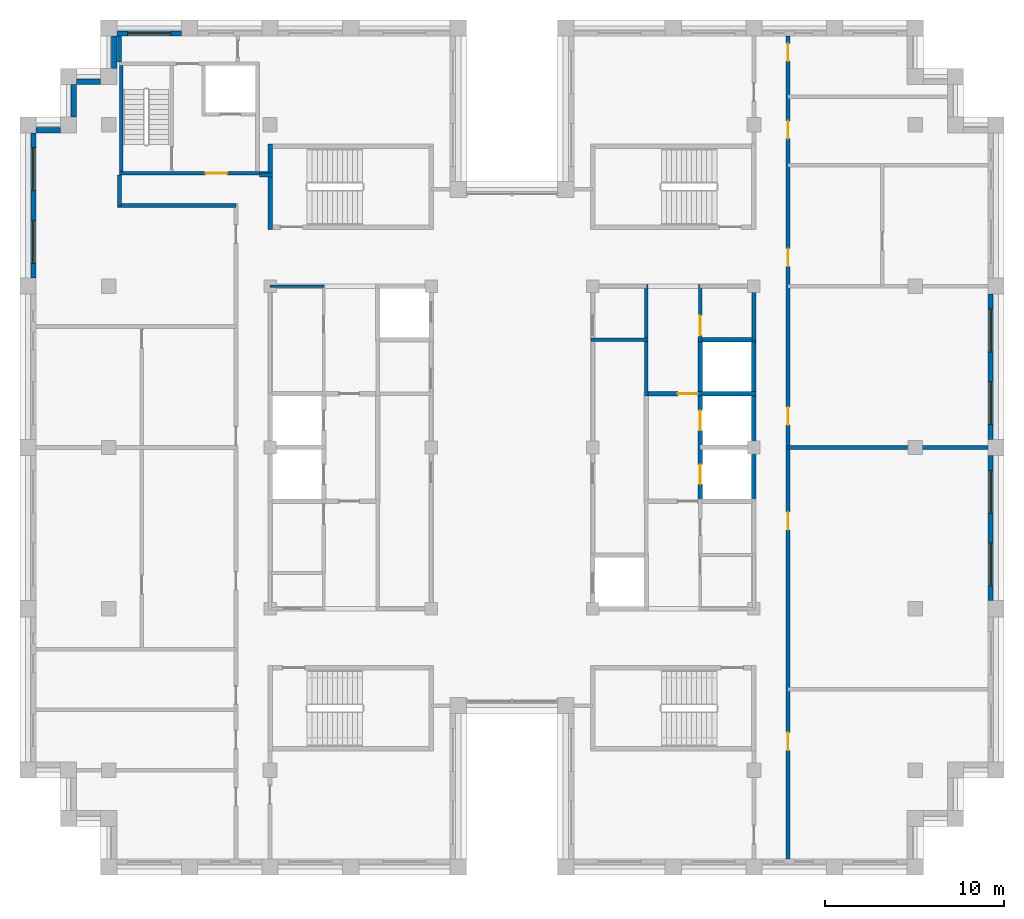
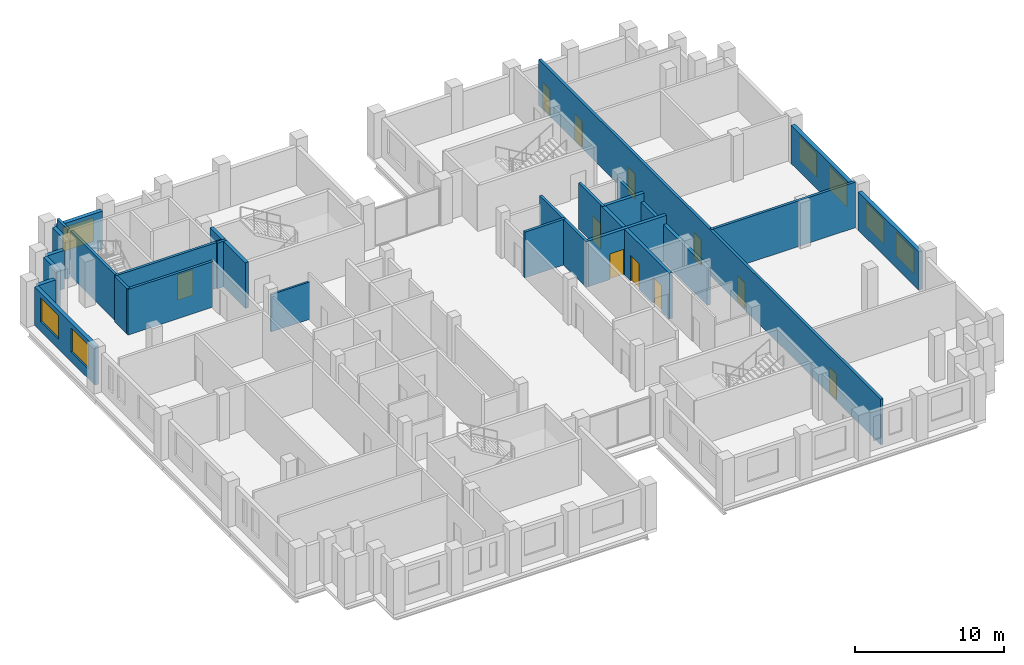
# One storey, part 9 of 13: 26 walls, 11 doors, 7 windows, 18 openings.
"""IFC4 building model written with IfcOpenShell, lengths in metres."""

import ifcopenshell
import ifcopenshell.guid

model = None  # the IFC model being written
_history = None  # IfcOwnerHistory: only IFC2X3 demands one
_inside = {}  # id of a spatial element -> (the spatial element, [elements in it])
_under = {}  # id of a project, library or spatial element -> (it, [spatial elements below it])
_declared = {}  # id of a project -> (the project, [libraries it declares])
_typed = {}  # id of a type object -> (the type object, [elements of that type])
_made_of = {}  # id of a material, layer set ... -> (it, [elements and type objects made of it])


def new_model(schema):
    """Start an empty IFC model of exactly this schema.

    Asked for "IFC4X3", IfcOpenShell would pick the latest addendum, in which some entities
    have other attributes; the version numbers below select the first issue.
    IFC2X3 requires an IfcOwnerHistory on every rooted entity: one is made here for all.
    """
    global model, _history
    if schema == "IFC4X3":
        model = ifcopenshell.file(schema_version=(4, 3, 0, 0))
    else:
        model = ifcopenshell.file(schema=schema)
    _inside.clear()
    _under.clear()
    _declared.clear()
    _typed.clear()
    _made_of.clear()
    _history = None
    if model.schema == "IFC2X3":
        org = make("IfcOrganization", Name="unknown")
        user = make(
            "IfcPersonAndOrganization",
            ThePerson=make("IfcPerson", FamilyName="unknown"),
            TheOrganization=org,
        )
        app = make(
            "IfcApplication",
            ApplicationDeveloper=org,
            Version="unknown",
            ApplicationFullName="unknown",
            ApplicationIdentifier="unknown",
        )
        _history = make(
            "IfcOwnerHistory",
            OwningUser=user,
            OwningApplication=app,
            ChangeAction="ADDED",
            CreationDate=0,
        )
    return model


def make(cls, **values):
    """One entity of the class cls with the attributes given. An attribute that is None is left unset."""
    return model.create_entity(
        cls, **{name: value for name, value in values.items() if value is not None}
    )


def rooted(cls, **values):
    """An entity with a GlobalId (a new one), such as an element, a storey or a relation."""
    return make(cls, GlobalId=ifcopenshell.guid.new(), OwnerHistory=_history, **values)


def si_unit(unit_type, name, prefix=None):
    """IfcSIUnit, for example si_unit("LENGTHUNIT", "METRE", prefix="MILLI")."""
    return make("IfcSIUnit", UnitType=unit_type, Prefix=prefix, Name=name)


def assignment(units):
    """IfcUnitAssignment: the units of a project."""
    return None if units is None else make("IfcUnitAssignment", Units=units)


def point(xyz):
    """IfcCartesianPoint."""
    return None if xyz is None else make("IfcCartesianPoint", Coordinates=xyz)


def direction(xyz):
    """IfcDirection."""
    return None if xyz is None else make("IfcDirection", DirectionRatios=xyz)


def frame(location, z_axis=None, x_axis=None):
    """IfcAxis2Placement3D, a coordinate frame: its origin and axes. An axis left out is left unset."""
    return make(
        "IfcAxis2Placement3D",
        Location=point(location),
        Axis=direction(z_axis),
        RefDirection=direction(x_axis),
    )


def frame_2d(location, x_axis=None):
    """IfcAxis2Placement2D, a coordinate frame in the plane: its origin and x axis."""
    return make(
        "IfcAxis2Placement2D", Location=point(location), RefDirection=direction(x_axis)
    )


def origin():
    """The frame at (0, 0, 0) with its axes left unset."""
    return frame((0.0, 0.0, 0.0))


def place(relative_to, where):
    """IfcLocalPlacement: puts the frame where relative to a parent placement (None: the world)."""
    return make(
        "IfcLocalPlacement", PlacementRelTo=relative_to, RelativePlacement=where
    )


def context(
    kind, dimensions, precision=None, world=None, true_north=None, identifier=None
):
    """IfcGeometricRepresentationContext, for example the 3D "Model" context."""
    return make(
        "IfcGeometricRepresentationContext",
        ContextIdentifier=identifier,
        ContextType=kind,
        CoordinateSpaceDimension=dimensions,
        Precision=precision,
        WorldCoordinateSystem=world,
        TrueNorth=true_north,
    )


def subcontext(parent, identifier, kind, view, scale=None):
    """IfcGeometricRepresentationSubContext, for example "Body" below "Model"."""
    return make(
        "IfcGeometricRepresentationSubContext",
        ContextIdentifier=identifier,
        ContextType=kind,
        ParentContext=parent,
        TargetScale=scale,
        TargetView=view,
    )


def project(units=None, contexts=None):
    """IfcProject with its units and contexts."""
    return rooted(
        "IfcProject",
        Name="project",
        RepresentationContexts=contexts,
        UnitsInContext=assignment(units),
    )


def spatial(cls, under=None, at=None, **own):
    """A site, building, storey or space (cls), placed at a placement, below another one or the project."""
    s = rooted(cls, ObjectPlacement=at, **own)
    if under is not None:
        _under.setdefault(under.id(), (under, []))[1].append(s)
    return s


def profile(cls, at=None, kind="AREA", **sizes):
    """A parametric profile (cls). Its sizes go by their IFC names, for example OverallWidth=200.0."""
    return make(cls, ProfileType=kind, Position=at, **sizes)


def rectangle(**sizes):
    """IfcRectangleProfileDef."""
    return profile("IfcRectangleProfileDef", **sizes)


def extrude(swept, where, along, depth):
    """IfcExtrudedAreaSolid: the profile swept, set in the frame where, extruded along a direction by depth."""
    return make(
        "IfcExtrudedAreaSolid",
        SweptArea=swept,
        Position=where,
        ExtrudedDirection=direction(along),
        Depth=depth,
    )


def shape(context_of_items, identifier, shape_type, items):
    """IfcShapeRepresentation: the items that make up one representation, for example the "Body"."""
    return make(
        "IfcShapeRepresentation",
        ContextOfItems=context_of_items,
        RepresentationIdentifier=identifier,
        RepresentationType=shape_type,
        Items=items,
    )


def material(Name=None, Category=None):
    """IfcMaterial."""
    return make("IfcMaterial", Name=Name, Category=Category)


def layer(
    of_material, thickness, ventilated=None, Name=None, Category=None, Priority=None
):
    """IfcMaterialLayer: one layer of a wall or slab, of a material (None: an air gap)."""
    return make(
        "IfcMaterialLayer",
        Material=of_material,
        LayerThickness=thickness,
        IsVentilated=ventilated,
        Name=Name,
        Category=Category,
        Priority=Priority,
    )


def layer_set(layers, Name=None):
    """IfcMaterialLayerSet."""
    return make("IfcMaterialLayerSet", MaterialLayers=layers, LayerSetName=Name)


def made_of(thing, what):
    """Note that an element or type object is made of a material, layer set ...; save() writes the relation."""
    if what is not None:
        _made_of.setdefault(what.id(), (what, []))[1].append(thing)
    return thing


def type_object(cls, material=None, **own):
    """A type object (cls), such as IfcWallType, which elements share."""
    return made_of(rooted(cls, **own), material)


def element(
    cls,
    number,
    at=None,
    inside=None,
    cuts=None,
    type_object=None,
    material=None,
    context=None,
    identifier="Body",
    shape_type=None,
    held_by="IfcProductDefinitionShape",
    body=None,
    shapes=None,
    **own,
):
    """One element of the class cls, such as IfcWall. Its Tag is "e" and its number.

    at: its placement. inside: the storey or other place that contains it. cuts: it is an
    opening in that element (IfcRelVoidsElement). A single representation is given by context,
    identifier, shape_type and body (its items); several are given by shapes. held_by: the class
    of the entity that holds the representations. save() writes the other relations.
    """
    e = rooted(cls, Tag="e%d" % number, ObjectPlacement=at, **own)
    if body is not None:
        shapes = [shape(context, identifier, shape_type, body)]
    if shapes is not None:
        e.Representation = make(held_by, Representations=shapes)
    if inside is not None:
        _inside.setdefault(inside.id(), (inside, []))[1].append(e)
    if cuts is not None:
        rooted(
            "IfcRelVoidsElement", RelatingBuildingElement=cuts, RelatedOpeningElement=e
        )
    if type_object is not None:
        _typed.setdefault(type_object.id(), (type_object, []))[1].append(e)
    return made_of(e, material)


def fill(opening, filler):
    """IfcRelFillsElement: the door or window that sits in an opening."""
    return rooted(
        "IfcRelFillsElement",
        RelatingOpeningElement=opening,
        RelatedBuildingElement=filler,
    )


def aggregate(whole, parts):
    """IfcRelAggregates: a whole, such as a stair, and the parts it consists of."""
    return rooted("IfcRelAggregates", RelatingObject=whole, RelatedObjects=parts)


def save(model, path):
    """Write the relations noted so far, then the file.

    IfcRelAggregates (storeys below a building ...), IfcRelContainedInSpatialStructure (elements
    in a storey), IfcRelDefinesByType, IfcRelAssociatesMaterial and IfcRelDeclares: one each for
    every whole, place, type object, material and project.
    """
    for whole, parts in _under.values():
        aggregate(whole, parts)
    for where, things in _inside.values():
        rooted(
            "IfcRelContainedInSpatialStructure",
            RelatedElements=things,
            RelatingStructure=where,
        )
    for kind, things in _typed.values():
        rooted("IfcRelDefinesByType", RelatedObjects=things, RelatingType=kind)
    for what, things in _made_of.values():
        rooted("IfcRelAssociatesMaterial", RelatedObjects=things, RelatingMaterial=what)
    for by, libraries in _declared.values():
        rooted("IfcRelDeclares", RelatingContext=by, RelatedDefinitions=libraries)
    model.write(path)


model = new_model("IFC4")

# Units and contexts
model_context = context("Model", 3, precision=1e-05, world=origin(), true_north=direction((0.0, 1.0)))
body_context = subcontext(model_context, "Body", "Model", "MODEL_VIEW")
ifc_project = project(units=[si_unit("LENGTHUNIT", "METRE"), si_unit("AREAUNIT", "SQUARE_METRE"), si_unit("VOLUMEUNIT", "CUBIC_METRE"), si_unit("PLANEANGLEUNIT", "RADIAN"), si_unit("MASSUNIT", "GRAM", prefix="KILO")], contexts=[model_context])

# Site, building, storey
site_placement = place(None, origin())
site = spatial("IfcSite", under=ifc_project, at=site_placement, CompositionType="ELEMENT")
building_placement = place(site_placement, origin())
building = spatial("IfcBuilding", under=site, at=building_placement, Name="Corbelhall Arena Tower", CompositionType="ELEMENT")
storey_placement = place(building_placement, frame((0.0, 0.0, 308.0)))
storey = spatial("IfcBuildingStorey", under=building, at=storey_placement, Name="L67", CompositionType="ELEMENT", Elevation=308.0)

# Walls
ifc_material_1 = material(Name="Precast concrete C40/50 with granite facing", Category="masonry")
ifc_layer_1 = layer(ifc_material_1, 0.300048828125)
ifc_layer_set_1 = layer_set([ifc_layer_1], Name="EV-IW1 Infill panel 300")
wall_type_1 = type_object("IfcWallType", Name="EV-IW1 Infill panel 300", PredefinedType="SOLIDWALL", material=ifc_layer_set_1)
wall_1_placement = place(storey_placement, frame((-24.449951171875, 20.25, 0.0), z_axis=(0.0, 0.0, 1.0), x_axis=(0.0, -1.0, 0.0)))
element("IfcWall", 1, at=wall_1_placement, inside=storey, type_object=wall_type_1, Name="Infill panel IW1", PredefinedType="SOLIDWALL", context=body_context, shape_type="SweptSolid", body=[
    extrude(rectangle(XDim=1.800048828125, YDim=0.300048828125, at=frame_2d((0.89990234375, 0.0))), origin(), (0.0, 0.0, 1.0), 3.139892578125),
])
wall_2_placement = place(storey_placement, frame((-25.199951171875, 17.699951171875, 0.0), z_axis=(0.0, 0.0, 1.0), x_axis=(-1.0, 0.0, 0.0)))
element("IfcWall", 2, at=wall_2_placement, inside=storey, type_object=wall_type_1, Name="Infill panel IW1", PredefinedType="SOLIDWALL", context=body_context, shape_type="SweptSolid", body=[
    extrude(rectangle(XDim=1.35009765625, YDim=0.300048828125, at=frame_2d((0.675048828125, 0.0))), origin(), (0.0, 0.0, 1.0), 3.139892578125),
])

# Wall, openings, windows
wall_3_placement = place(storey_placement, frame((-26.699951171875, 17.550048828125, 0.0), z_axis=(0.0, 0.0, 1.0), x_axis=(0.0, -1.0, 0.0)))
wall_3 = element("IfcWall", 3, at=wall_3_placement, inside=storey, type_object=wall_type_1, Name="Infill panel IW1", PredefinedType="SOLIDWALL", context=body_context, shape_type="SweptSolid", body=[
    extrude(rectangle(XDim=8.10009765625, YDim=0.300048828125, at=frame_2d((4.050048828125, 0.0))), origin(), (0.0, 0.0, 1.0), 3.139892578125),
])
opening_1_placement = place(wall_3_placement, frame((0.824951171875, 0.0, 0.800048828125)))
opening_1 = element("IfcOpeningElement", 4, at=opening_1_placement, cuts=wall_3, Name="Opening WN1", PredefinedType="OPENING", context=body_context, shape_type="SweptSolid", body=[
    extrude(rectangle(XDim=2.39990234375, YDim=1.949951171875, at=frame_2d((1.199951171875, 0.97509765625))), frame((0.0, 0.14990234375, 0.0), z_axis=(0.0, -1.0, 0.0), x_axis=(1.0, 0.0, 0.0)), (0.0, 0.0, 1.0), 0.300048828125),
])
opening_2_placement = place(wall_3_placement, frame((4.875, 0.0, 0.800048828125)))
opening_2 = element("IfcOpeningElement", 5, at=opening_2_placement, cuts=wall_3, Name="Opening WN1", PredefinedType="OPENING", context=body_context, shape_type="SweptSolid", body=[
    extrude(rectangle(XDim=2.39990234375, YDim=1.949951171875, at=frame_2d((1.199951171875, 0.97509765625))), frame((0.0, 0.14990234375, 0.0), z_axis=(0.0, -1.0, 0.0), x_axis=(1.0, 0.0, 0.0)), (0.0, 0.0, 1.0), 0.300048828125),
])
ifc_material_2 = material(Name="Aluminium black anodised", Category="aluminium")
window_type = type_object("IfcWindowType", Name="EV-WN1 Office window", PartitioningType="SINGLE_PANEL", PredefinedType="WINDOW", material=ifc_material_2)
window_1_placement = place(opening_1_placement, origin())
window_1 = element("IfcWindow", 6, at=window_1_placement, inside=storey, type_object=window_type, Name="Window WN1", OverallHeight=1.949951171875, OverallWidth=2.39990234375, PartitioningType="SINGLE_PANEL", PredefinedType="WINDOW", context=body_context, shape_type="SweptSolid", body=[
    extrude(rectangle(XDim=2.39990234375, YDim=1.949951171875, at=frame_2d((1.199951171875, 0.97509765625))), frame((0.0, 0.030029296875, 0.0), z_axis=(0.0, -1.0, 0.0), x_axis=(1.0, 0.0, 0.0)), (0.0, 0.0, 1.0), 0.06005859375),
])
fill(opening_1, window_1)
window_2_placement = place(opening_2_placement, origin())
window_2 = element("IfcWindow", 7, at=window_2_placement, inside=storey, type_object=window_type, Name="Window WN1", OverallHeight=1.949951171875, OverallWidth=2.39990234375, PartitioningType="SINGLE_PANEL", PredefinedType="WINDOW", context=body_context, shape_type="SweptSolid", body=[
    extrude(rectangle(XDim=2.39990234375, YDim=1.949951171875, at=frame_2d((1.199951171875, 0.97509765625))), frame((0.0, 0.030029296875, 0.0), z_axis=(0.0, -1.0, 0.0), x_axis=(1.0, 0.0, 0.0)), (0.0, 0.0, 1.0), 0.06005859375),
])
fill(opening_2, window_2)

wall_4_placement = place(storey_placement, frame((26.699951171875, -8.550048828125, 0.0), z_axis=(0.0, 0.0, 1.0), x_axis=(0.0, 1.0, 0.0)))
wall_4 = element("IfcWall", 8, at=wall_4_placement, inside=storey, type_object=wall_type_1, Name="Infill panel IW1", PredefinedType="SOLIDWALL", context=body_context, shape_type="SweptSolid", body=[
    extrude(rectangle(XDim=8.10009765625, YDim=0.300048828125, at=frame_2d((4.050048828125, 0.0))), origin(), (0.0, 0.0, 1.0), 3.139892578125),
])
opening_3_placement = place(wall_4_placement, frame((0.824951171875, 0.0, 0.800048828125)))
opening_3 = element("IfcOpeningElement", 9, at=opening_3_placement, cuts=wall_4, Name="Opening WN1", PredefinedType="OPENING", context=body_context, shape_type="SweptSolid", body=[
    extrude(rectangle(XDim=2.39990234375, YDim=1.949951171875, at=frame_2d((1.199951171875, 0.97509765625))), frame((0.0, 0.14990234375, 0.0), z_axis=(0.0, -1.0, 0.0), x_axis=(1.0, 0.0, 0.0)), (0.0, 0.0, 1.0), 0.300048828125),
])
opening_4_placement = place(wall_4_placement, frame((4.875, 0.0, 0.800048828125)))
opening_4 = element("IfcOpeningElement", 10, at=opening_4_placement, cuts=wall_4, Name="Opening WN1", PredefinedType="OPENING", context=body_context, shape_type="SweptSolid", body=[
    extrude(rectangle(XDim=2.39990234375, YDim=1.949951171875, at=frame_2d((1.199951171875, 0.97509765625))), frame((0.0, 0.14990234375, 0.0), z_axis=(0.0, -1.0, 0.0), x_axis=(1.0, 0.0, 0.0)), (0.0, 0.0, 1.0), 0.300048828125),
])
window_3_placement = place(opening_3_placement, origin())
window_3 = element("IfcWindow", 11, at=window_3_placement, inside=storey, type_object=window_type, Name="Window WN1", OverallHeight=1.949951171875, OverallWidth=2.39990234375, PartitioningType="SINGLE_PANEL", PredefinedType="WINDOW", context=body_context, shape_type="SweptSolid", body=[
    extrude(rectangle(XDim=2.39990234375, YDim=1.949951171875, at=frame_2d((1.199951171875, 0.97509765625))), frame((0.0, 0.030029296875, 0.0), z_axis=(0.0, -1.0, 0.0), x_axis=(1.0, 0.0, 0.0)), (0.0, 0.0, 1.0), 0.06005859375),
])
fill(opening_3, window_3)
window_4_placement = place(opening_4_placement, origin())
window_4 = element("IfcWindow", 12, at=window_4_placement, inside=storey, type_object=window_type, Name="Window WN1", OverallHeight=1.949951171875, OverallWidth=2.39990234375, PartitioningType="SINGLE_PANEL", PredefinedType="WINDOW", context=body_context, shape_type="SweptSolid", body=[
    extrude(rectangle(XDim=2.39990234375, YDim=1.949951171875, at=frame_2d((1.199951171875, 0.97509765625))), frame((0.0, 0.030029296875, 0.0), z_axis=(0.0, -1.0, 0.0), x_axis=(1.0, 0.0, 0.0)), (0.0, 0.0, 1.0), 0.06005859375),
])
fill(opening_4, window_4)

wall_5_placement = place(storey_placement, frame((26.699951171875, 0.449951171875, 0.0), z_axis=(0.0, 0.0, 1.0), x_axis=(0.0, 1.0, 0.0)))
wall_5 = element("IfcWall", 13, at=wall_5_placement, inside=storey, type_object=wall_type_1, Name="Infill panel IW1", PredefinedType="SOLIDWALL", context=body_context, shape_type="SweptSolid", body=[
    extrude(rectangle(XDim=8.10009765625, YDim=0.300048828125, at=frame_2d((4.050048828125, 0.0))), origin(), (0.0, 0.0, 1.0), 3.139892578125),
])
opening_5_placement = place(wall_5_placement, frame((0.824951171875, 0.0, 0.800048828125)))
opening_5 = element("IfcOpeningElement", 14, at=opening_5_placement, cuts=wall_5, Name="Opening WN1", PredefinedType="OPENING", context=body_context, shape_type="SweptSolid", body=[
    extrude(rectangle(XDim=2.39990234375, YDim=1.949951171875, at=frame_2d((1.199951171875, 0.97509765625))), frame((0.0, 0.14990234375, 0.0), z_axis=(0.0, -1.0, 0.0), x_axis=(1.0, 0.0, 0.0)), (0.0, 0.0, 1.0), 0.300048828125),
])
opening_6_placement = place(wall_5_placement, frame((4.875, 0.0, 0.800048828125)))
opening_6 = element("IfcOpeningElement", 15, at=opening_6_placement, cuts=wall_5, Name="Opening WN1", PredefinedType="OPENING", context=body_context, shape_type="SweptSolid", body=[
    extrude(rectangle(XDim=2.39990234375, YDim=1.949951171875, at=frame_2d((1.199951171875, 0.97509765625))), frame((0.0, 0.14990234375, 0.0), z_axis=(0.0, -1.0, 0.0), x_axis=(1.0, 0.0, 0.0)), (0.0, 0.0, 1.0), 0.300048828125),
])
window_5_placement = place(opening_5_placement, origin())
window_5 = element("IfcWindow", 16, at=window_5_placement, inside=storey, type_object=window_type, Name="Window WN1", OverallHeight=1.949951171875, OverallWidth=2.39990234375, PartitioningType="SINGLE_PANEL", PredefinedType="WINDOW", context=body_context, shape_type="SweptSolid", body=[
    extrude(rectangle(XDim=2.39990234375, YDim=1.949951171875, at=frame_2d((1.199951171875, 0.97509765625))), frame((0.0, 0.030029296875, 0.0), z_axis=(0.0, -1.0, 0.0), x_axis=(1.0, 0.0, 0.0)), (0.0, 0.0, 1.0), 0.06005859375),
])
fill(opening_5, window_5)
window_6_placement = place(opening_6_placement, origin())
window_6 = element("IfcWindow", 17, at=window_6_placement, inside=storey, type_object=window_type, Name="Window WN1", OverallHeight=1.949951171875, OverallWidth=2.39990234375, PartitioningType="SINGLE_PANEL", PredefinedType="WINDOW", context=body_context, shape_type="SweptSolid", body=[
    extrude(rectangle(XDim=2.39990234375, YDim=1.949951171875, at=frame_2d((1.199951171875, 0.97509765625))), frame((0.0, 0.030029296875, 0.0), z_axis=(0.0, -1.0, 0.0), x_axis=(1.0, 0.0, 0.0)), (0.0, 0.0, 1.0), 0.06005859375),
])
fill(opening_6, window_6)

# Wall, opening, window
wall_6_placement = place(storey_placement, frame((-18.449951171875, 23.10009765625, 0.0), z_axis=(0.0, 0.0, 1.0), x_axis=(-1.0, 0.0, 0.0)))
wall_6 = element("IfcWall", 18, at=wall_6_placement, inside=storey, type_object=wall_type_1, Name="Infill panel IW1", PredefinedType="SOLIDWALL", context=body_context, shape_type="SweptSolid", body=[
    extrude(rectangle(XDim=3.60009765625, YDim=0.300048828125, at=frame_2d((1.800048828125, 0.0))), origin(), (0.0, 0.0, 1.0), 3.139892578125),
])
opening_7_placement = place(wall_6_placement, frame((0.60009765625, 0.0, 0.800048828125)))
opening_7 = element("IfcOpeningElement", 19, at=opening_7_placement, cuts=wall_6, Name="Opening WN1", PredefinedType="OPENING", context=body_context, shape_type="SweptSolid", body=[
    extrude(rectangle(XDim=2.39990234375, YDim=1.949951171875, at=frame_2d((1.199951171875, 0.97509765625))), frame((0.0, 0.14990234375, 0.0), z_axis=(0.0, -1.0, 0.0), x_axis=(1.0, 0.0, 0.0)), (0.0, 0.0, 1.0), 0.300048828125),
])
window_7_placement = place(opening_7_placement, origin())
window_7 = element("IfcWindow", 20, at=window_7_placement, inside=storey, type_object=window_type, Name="Window WN1", OverallHeight=1.949951171875, OverallWidth=2.39990234375, PartitioningType="SINGLE_PANEL", PredefinedType="WINDOW", context=body_context, shape_type="SweptSolid", body=[
    extrude(rectangle(XDim=2.39990234375, YDim=1.949951171875, at=frame_2d((1.199951171875, 0.97509765625))), frame((0.0, 0.030029296875, 0.0), z_axis=(0.0, -1.0, 0.0), x_axis=(1.0, 0.0, 0.0)), (0.0, 0.0, 1.0), 0.06005859375),
])
fill(opening_7, window_7)

# Walls
wall_7_placement = place(storey_placement, frame((-22.199951171875, 22.949951171875, 0.0), z_axis=(0.0, 0.0, 1.0), x_axis=(0.0, -1.0, 0.0)))
element("IfcWall", 21, at=wall_7_placement, inside=storey, type_object=wall_type_1, Name="Infill panel IW1", PredefinedType="SOLIDWALL", context=body_context, shape_type="SweptSolid", body=[
    extrude(rectangle(XDim=1.800048828125, YDim=0.300048828125, at=frame_2d((0.89990234375, 0.0))), origin(), (0.0, 0.0, 1.0), 3.139892578125),
])
wall_8_placement = place(storey_placement, frame((-22.949951171875, 20.39990234375, 0.0), z_axis=(0.0, 0.0, 1.0), x_axis=(-1.0, 0.0, 0.0)))
element("IfcWall", 22, at=wall_8_placement, inside=storey, type_object=wall_type_1, Name="Infill panel IW1", PredefinedType="SOLIDWALL", context=body_context, shape_type="SweptSolid", body=[
    extrude(rectangle(XDim=1.35009765625, YDim=0.300048828125, at=frame_2d((0.675048828125, 0.0))), origin(), (0.0, 0.0, 1.0), 3.139892578125),
])
ifc_material_3 = material(Name="Gypsum board on steel stud, acoustic", Category="steel")
ifc_layer_2 = layer(ifc_material_3, 0.199951171875)
ifc_layer_set_2 = layer_set([ifc_layer_2], Name="IN-W-DM200")
wall_type_2 = type_object("IfcWallType", Name="IN-W-DM200", PredefinedType="PARTITIONING", material=ifc_layer_set_2)
wall_9_placement = place(storey_placement, frame((-21.89990234375, 13.5, 0.0), z_axis=(0.0, 0.0, 1.0), x_axis=(0.0, 1.0, 0.0)))
element("IfcWall", 23, at=wall_9_placement, inside=storey, type_object=wall_type_2, Name="Partition 005", PredefinedType="PARTITIONING", context=body_context, shape_type="SweptSolid", body=[
    extrude(rectangle(XDim=1.699951171875, YDim=0.199951171875, at=frame_2d((0.85009765625, 0.0))), origin(), (0.0, 0.0, 1.0), 3.739990234375),
])
wall_10_placement = place(storey_placement, frame((-21.89990234375, 21.5, 0.0), z_axis=(0.0, 0.0, 1.0), x_axis=(0.0, 1.0, 0.0)))
element("IfcWall", 24, at=wall_10_placement, inside=storey, type_object=wall_type_2, Name="Partition 006", PredefinedType="PARTITIONING", context=body_context, shape_type="SweptSolid", body=[
    extrude(rectangle(XDim=1.449951171875, YDim=0.199951171875, at=frame_2d((0.72509765625, 0.0))), origin(), (0.0, 0.0, 1.0), 3.739990234375),
])
wall_11_placement = place(storey_placement, frame((-15.39990234375, 13.5, 0.0), z_axis=(0.0, 0.0, 1.0), x_axis=(-1.0, 0.0, 0.0)))
element("IfcWall", 25, at=wall_11_placement, inside=storey, type_object=wall_type_2, Name="Partition 010", PredefinedType="PARTITIONING", context=body_context, shape_type="SweptSolid", body=[
    extrude(rectangle(XDim=6.60009765625, YDim=0.199951171875, at=frame_2d((3.300048828125, 0.0))), origin(), (0.0, 0.0, 1.0), 3.739990234375),
])
wall_12_placement = place(storey_placement, frame((-14.10009765625, 15.199951171875, 0.0), z_axis=(0.0, 0.0, 1.0), x_axis=(1.0, 0.0, 0.0)))
element("IfcWall", 26, at=wall_12_placement, inside=storey, type_object=wall_type_2, Name="Partition 012", PredefinedType="PARTITIONING", context=body_context, shape_type="SweptSolid", body=[
    extrude(rectangle(XDim=0.72509765625, YDim=0.199951171875, at=frame_2d((0.362548828125, 0.0))), origin(), (0.0, 0.0, 1.0), 3.739990234375),
])

# Wall, openings, doors
wall_13_placement = place(storey_placement, frame((15.39990234375, 22.949951171875, 0.0), z_axis=(0.0, 0.0, 1.0), x_axis=(0.0, -1.0, 0.0)))
wall_13 = element("IfcWall", 27, at=wall_13_placement, inside=storey, type_object=wall_type_2, Name="Partition 021", PredefinedType="PARTITIONING", context=body_context, shape_type="SweptSolid", body=[
    extrude(rectangle(XDim=45.89990234375, YDim=0.199951171875, at=frame_2d((22.949951171875, 0.0))), origin(), (0.0, 0.0, 1.0), 3.739990234375),
])
opening_8_placement = place(wall_13_placement, frame((20.699951171875, 0.0, 0.0)))
opening_8 = element("IfcOpeningElement", 28, at=opening_8_placement, cuts=wall_13, Name="Opening 21029", PredefinedType="OPENING", context=body_context, shape_type="SweptSolid", body=[
    extrude(rectangle(XDim=1.0, YDim=2.10009765625, at=frame_2d((0.5, 1.050048828125))), frame((0.0, 0.10009765625, 0.0), z_axis=(0.0, -1.0, 0.0), x_axis=(1.0, 0.0, 0.0)), (0.0, 0.0, 1.0), 0.199951171875),
])
opening_9_placement = place(wall_13_placement, frame((11.85009765625, 0.0, 0.0)))
opening_9 = element("IfcOpeningElement", 29, at=opening_9_placement, cuts=wall_13, Name="Opening 21030", PredefinedType="OPENING", context=body_context, shape_type="SweptSolid", body=[
    extrude(rectangle(XDim=1.0, YDim=2.10009765625, at=frame_2d((0.5, 1.050048828125))), frame((0.0, 0.10009765625, 0.0), z_axis=(0.0, -1.0, 0.0), x_axis=(1.0, 0.0, 0.0)), (0.0, 0.0, 1.0), 0.199951171875),
])
opening_10_placement = place(wall_13_placement, frame((4.72509765625, 0.0, 0.0)))
opening_10 = element("IfcOpeningElement", 30, at=opening_10_placement, cuts=wall_13, Name="Opening 21032", PredefinedType="OPENING", context=body_context, shape_type="SweptSolid", body=[
    extrude(rectangle(XDim=1.0, YDim=2.10009765625, at=frame_2d((0.5, 1.050048828125))), frame((0.0, 0.10009765625, 0.0), z_axis=(0.0, -1.0, 0.0), x_axis=(1.0, 0.0, 0.0)), (0.0, 0.0, 1.0), 0.199951171875),
])
opening_11_placement = place(wall_13_placement, frame((0.39990234375, 0.0, 0.0)))
opening_11 = element("IfcOpeningElement", 31, at=opening_11_placement, cuts=wall_13, Name="Opening 21033", PredefinedType="OPENING", context=body_context, shape_type="SweptSolid", body=[
    extrude(rectangle(XDim=1.0, YDim=2.10009765625, at=frame_2d((0.5, 1.050048828125))), frame((0.0, 0.10009765625, 0.0), z_axis=(0.0, -1.0, 0.0), x_axis=(1.0, 0.0, 0.0)), (0.0, 0.0, 1.0), 0.199951171875),
])
opening_12_placement = place(wall_13_placement, frame((38.85009765625, 0.0, 0.0)))
opening_12 = element("IfcOpeningElement", 32, at=opening_12_placement, cuts=wall_13, Name="Opening 21034", PredefinedType="OPENING", context=body_context, shape_type="SweptSolid", body=[
    extrude(rectangle(XDim=1.0, YDim=2.10009765625, at=frame_2d((0.5, 1.050048828125))), frame((0.0, 0.10009765625, 0.0), z_axis=(0.0, -1.0, 0.0), x_axis=(1.0, 0.0, 0.0)), (0.0, 0.0, 1.0), 0.199951171875),
])
opening_13_placement = place(wall_13_placement, frame((26.550048828125, 0.0, 0.0)))
opening_13 = element("IfcOpeningElement", 33, at=opening_13_placement, cuts=wall_13, Name="Opening 21035", PredefinedType="OPENING", context=body_context, shape_type="SweptSolid", body=[
    extrude(rectangle(XDim=1.0, YDim=2.10009765625, at=frame_2d((0.5, 1.050048828125))), frame((0.0, 0.10009765625, 0.0), z_axis=(0.0, -1.0, 0.0), x_axis=(1.0, 0.0, 0.0)), (0.0, 0.0, 1.0), 0.199951171875),
])
ifc_material_4 = material(Name="Steel door set", Category="steel")
door_type_1 = type_object("IfcDoorType", Name="IN-D-SW100", OperationType="NOTDEFINED", PredefinedType="DOOR", material=ifc_material_4)
door_1_placement = place(opening_8_placement, origin())
door_1 = element("IfcDoor", 34, at=door_1_placement, inside=storey, type_object=door_type_1, Name="Door 029", OperationType="SINGLE_SWING_RIGHT", OverallHeight=2.10009765625, OverallWidth=1.0, PredefinedType="DOOR", context=body_context, shape_type="SweptSolid", body=[
    extrude(rectangle(XDim=1.0, YDim=2.10009765625, at=frame_2d((0.5, 1.050048828125))), frame((0.0, 0.02490234375, 0.0), z_axis=(0.0, -1.0, 0.0), x_axis=(1.0, 0.0, 0.0)), (0.0, 0.0, 1.0), 0.050048828125),
])
fill(opening_8, door_1)
door_2_placement = place(opening_9_placement, origin())
door_2 = element("IfcDoor", 35, at=door_2_placement, inside=storey, type_object=door_type_1, Name="Door 030", OperationType="SINGLE_SWING_LEFT", OverallHeight=2.10009765625, OverallWidth=1.0, PredefinedType="DOOR", context=body_context, shape_type="SweptSolid", body=[
    extrude(rectangle(XDim=1.0, YDim=2.10009765625, at=frame_2d((0.5, 1.050048828125))), frame((0.0, 0.02490234375, 0.0), z_axis=(0.0, -1.0, 0.0), x_axis=(1.0, 0.0, 0.0)), (0.0, 0.0, 1.0), 0.050048828125),
])
fill(opening_9, door_2)
door_3_placement = place(opening_10_placement, origin())
door_3 = element("IfcDoor", 36, at=door_3_placement, inside=storey, type_object=door_type_1, Name="Door 032", OperationType="SINGLE_SWING_LEFT", OverallHeight=2.10009765625, OverallWidth=1.0, PredefinedType="DOOR", context=body_context, shape_type="SweptSolid", body=[
    extrude(rectangle(XDim=1.0, YDim=2.10009765625, at=frame_2d((0.5, 1.050048828125))), frame((0.0, 0.02490234375, 0.0), z_axis=(0.0, -1.0, 0.0), x_axis=(1.0, 0.0, 0.0)), (0.0, 0.0, 1.0), 0.050048828125),
])
fill(opening_10, door_3)
door_4_placement = place(opening_11_placement, origin())
door_4 = element("IfcDoor", 37, at=door_4_placement, inside=storey, type_object=door_type_1, Name="Door 033", OperationType="SINGLE_SWING_RIGHT", OverallHeight=2.10009765625, OverallWidth=1.0, PredefinedType="DOOR", context=body_context, shape_type="SweptSolid", body=[
    extrude(rectangle(XDim=1.0, YDim=2.10009765625, at=frame_2d((0.5, 1.050048828125))), frame((0.0, 0.02490234375, 0.0), z_axis=(0.0, -1.0, 0.0), x_axis=(1.0, 0.0, 0.0)), (0.0, 0.0, 1.0), 0.050048828125),
])
fill(opening_11, door_4)
door_5_placement = place(opening_12_placement, origin())
door_5 = element("IfcDoor", 38, at=door_5_placement, inside=storey, type_object=door_type_1, Name="Door 034", OperationType="SINGLE_SWING_LEFT", OverallHeight=2.10009765625, OverallWidth=1.0, PredefinedType="DOOR", context=body_context, shape_type="SweptSolid", body=[
    extrude(rectangle(XDim=1.0, YDim=2.10009765625, at=frame_2d((0.5, 1.050048828125))), frame((0.0, 0.02490234375, 0.0), z_axis=(0.0, -1.0, 0.0), x_axis=(1.0, 0.0, 0.0)), (0.0, 0.0, 1.0), 0.050048828125),
])
fill(opening_12, door_5)
door_6_placement = place(opening_13_placement, origin())
door_6 = element("IfcDoor", 39, at=door_6_placement, inside=storey, type_object=door_type_1, Name="Door 035", OperationType="SINGLE_SWING_RIGHT", OverallHeight=2.10009765625, OverallWidth=1.0, PredefinedType="DOOR", context=body_context, shape_type="SweptSolid", body=[
    extrude(rectangle(XDim=1.0, YDim=2.10009765625, at=frame_2d((0.5, 1.050048828125))), frame((0.0, 0.02490234375, 0.0), z_axis=(0.0, -1.0, 0.0), x_axis=(1.0, 0.0, 0.0)), (0.0, 0.0, 1.0), 0.050048828125),
])
fill(opening_13, door_6)

# Wall
wall_14_placement = place(storey_placement, frame((26.550048828125, 0.0, 0.0), z_axis=(0.0, 0.0, 1.0), x_axis=(-1.0, 0.0, 0.0)))
element("IfcWall", 40, at=wall_14_placement, inside=storey, type_object=wall_type_2, Name="Partition 026", PredefinedType="PARTITIONING", context=body_context, shape_type="SweptSolid", body=[
    extrude(rectangle(XDim=11.150146484375, YDim=0.199951171875, at=frame_2d((5.5751953125, 0.0))), origin(), (0.0, 0.0, 1.0), 3.739990234375),
])

# Wall, opening, door
ifc_material_5 = material(Name="Concrete C40/50", Category="concrete")
ifc_layer_3 = layer(ifc_material_5, 0.199951171875)
ifc_layer_set_3 = layer_set([ifc_layer_3], Name="IN-W-EAR200")
wall_type_3 = type_object("IfcWallType", Name="IN-W-EAR200", PredefinedType="SOLIDWALL", material=ifc_layer_set_3)
wall_15_placement = place(storey_placement, frame((-21.89990234375, 15.300048828125, 0.0), z_axis=(0.0, 0.0, 1.0), x_axis=(1.0, 0.0, 0.0)))
wall_15 = element("IfcWall", 41, at=wall_15_placement, inside=storey, type_object=wall_type_3, Name="Fire service turret wall south", PredefinedType="SOLIDWALL", context=body_context, shape_type="SweptSolid", body=[
    extrude(rectangle(XDim=8.27490234375, YDim=0.199951171875, at=frame_2d((4.137451171875, 0.0))), origin(), (0.0, 0.0, 1.0), 3.739990234375),
])
opening_14_placement = place(wall_15_placement, frame((4.800048828125, 0.0, 0.0)))
opening_14 = element("IfcOpeningElement", 42, at=opening_14_placement, cuts=wall_15, Name="Opening E212", PredefinedType="OPENING", context=body_context, shape_type="SweptSolid", body=[
    extrude(rectangle(XDim=1.199951171875, YDim=2.10009765625, at=frame_2d((0.60009765625, 1.050048828125))), frame((0.0, 0.10009765625, 0.0), z_axis=(0.0, -1.0, 0.0), x_axis=(1.0, 0.0, 0.0)), (0.0, 0.0, 1.0), 0.199951171875),
])
door_type_2 = type_object("IfcDoorType", Name="IN-D-ST120", OperationType="NOTDEFINED", PredefinedType="DOOR", material=ifc_material_4)
door_7_placement = place(opening_14_placement, origin())
door_7 = element("IfcDoor", 43, at=door_7_placement, inside=storey, type_object=door_type_2, Name="Door from fire service lift lobby to circulation", OperationType="SINGLE_SWING_RIGHT", OverallHeight=2.10009765625, OverallWidth=1.199951171875, PredefinedType="DOOR", context=body_context, shape_type="SweptSolid", body=[
    extrude(rectangle(XDim=1.199951171875, YDim=2.10009765625, at=frame_2d((0.60009765625, 1.050048828125))), frame((0.0, 0.02490234375, 0.0), z_axis=(0.0, -1.0, 0.0), x_axis=(1.0, 0.0, 0.0)), (0.0, 0.0, 1.0), 0.050048828125),
])
fill(opening_14, door_7)

# Walls
wall_16_placement = place(storey_placement, frame((-21.800048828125, 15.39990234375, 0.0), z_axis=(0.0, 0.0, 1.0), x_axis=(0.0, 1.0, 0.0)))
element("IfcWall", 44, at=wall_16_placement, inside=storey, type_object=wall_type_3, Name="Fire service turret wall west", PredefinedType="SOLIDWALL", context=body_context, shape_type="SweptSolid", body=[
    extrude(rectangle(XDim=5.900146484375, YDim=0.199951171875, at=frame_2d((2.9501953125, 0.0))), origin(), (0.0, 0.0, 1.0), 3.739990234375),
])
ifc_material_6 = material(Name="Concrete block wall", Category="concrete")
ifc_layer_4 = layer(ifc_material_6, 0.199951171875)
ifc_layer_set_4 = layer_set([ifc_layer_4], Name="IN-W-RS200")
wall_type_4 = type_object("IfcWallType", Name="IN-W-RS200", PredefinedType="SOLIDWALL", material=ifc_layer_set_4)
wall_17_placement = place(storey_placement, frame((4.39990234375, 6.0, 0.0), z_axis=(0.0, 0.0, 1.0), x_axis=(1.0, 0.0, 0.0)))
element("IfcWall", 45, at=wall_17_placement, inside=storey, type_object=wall_type_4, Name="Partition 034", PredefinedType="SOLIDWALL", context=body_context, shape_type="SweptSolid", body=[
    extrude(rectangle(XDim=3.2001953125, YDim=0.199951171875, at=frame_2d((1.60009765625, 0.0))), origin(), (0.0, 0.0, 1.0), 3.739990234375),
])
wall_18_placement = place(storey_placement, frame((7.5, 9.10009765625, 0.0), z_axis=(0.0, 0.0, 1.0), x_axis=(0.0, -1.0, 0.0)))
element("IfcWall", 46, at=wall_18_placement, inside=storey, type_object=wall_type_4, Name="Partition 038", PredefinedType="SOLIDWALL", context=body_context, shape_type="SweptSolid", body=[
    extrude(rectangle(XDim=6.22509765625, YDim=0.199951171875, at=frame_2d((3.112548828125, 0.0))), origin(), (0.0, 0.0, 1.0), 3.739990234375),
])

# Wall, opening, door
wall_19_placement = place(storey_placement, frame((10.5, 9.10009765625, 0.0), z_axis=(0.0, 0.0, 1.0), x_axis=(0.0, -1.0, 0.0)))
wall_19 = element("IfcWall", 47, at=wall_19_placement, inside=storey, type_object=wall_type_4, Name="Partition 041", PredefinedType="SOLIDWALL", context=body_context, shape_type="SweptSolid", body=[
    extrude(rectangle(XDim=3.22509765625, YDim=0.199951171875, at=frame_2d((1.612548828125, 0.0))), origin(), (0.0, 0.0, 1.0), 3.739990234375),
])
opening_15_placement = place(wall_19_placement, frame((1.75, 0.0, 0.0)))
opening_15 = element("IfcOpeningElement", 48, at=opening_15_placement, cuts=wall_19, Name="Opening 21013", PredefinedType="OPENING", context=body_context, shape_type="SweptSolid", body=[
    extrude(rectangle(XDim=1.10009765625, YDim=2.10009765625, at=frame_2d((0.550048828125, 1.050048828125))), frame((0.0, 0.10009765625, 0.0), z_axis=(0.0, -1.0, 0.0), x_axis=(1.0, 0.0, 0.0)), (0.0, 0.0, 1.0), 0.199951171875),
])
door_type_3 = type_object("IfcDoorType", Name="IN-D-FD110", OperationType="NOTDEFINED", PredefinedType="DOOR", material=ifc_material_4)
door_8_placement = place(opening_15_placement, origin())
door_8 = element("IfcDoor", 49, at=door_8_placement, inside=storey, type_object=door_type_3, Name="Door 013", OperationType="SINGLE_SWING_RIGHT", OverallHeight=2.10009765625, OverallWidth=1.10009765625, PredefinedType="DOOR", context=body_context, shape_type="SweptSolid", body=[
    extrude(rectangle(XDim=1.10009765625, YDim=2.10009765625, at=frame_2d((0.550048828125, 1.050048828125))), frame((0.0, 0.02490234375, 0.0), z_axis=(0.0, -1.0, 0.0), x_axis=(1.0, 0.0, 0.0)), (0.0, 0.0, 1.0), 0.050048828125),
])
fill(opening_15, door_8)

# Wall
ifc_layer_5 = layer(ifc_material_6, 0.199951171875)
ifc_layer_set_5 = layer_set([ifc_layer_5], Name="IN-W-RS200 under beam 678 mm")
wall_type_5 = type_object("IfcWallType", Name="IN-W-RS200 under beam 678 mm", PredefinedType="SOLIDWALL", material=ifc_layer_set_5)
wall_20_placement = place(storey_placement, frame((13.5, 9.10009765625, 0.0), z_axis=(0.0, 0.0, 1.0), x_axis=(0.0, -1.0, 0.0)))
element("IfcWall", 50, at=wall_20_placement, inside=storey, type_object=wall_type_5, Name="Partition 043", PredefinedType="SOLIDWALL", context=body_context, shape_type="SweptSolid", body=[
    extrude(rectangle(XDim=3.10009765625, YDim=0.199951171875, at=frame_2d((1.550048828125, 0.0))), origin(), (0.0, 0.0, 1.0), 3.061767578125),
])

# Wall, opening, door
ifc_layer_6 = layer(ifc_material_5, 0.25)
ifc_layer_set_6 = layer_set([ifc_layer_6], Name="IN-W-SH250")
wall_type_6 = type_object("IfcWallType", Name="IN-W-SH250", PredefinedType="SOLIDWALL", material=ifc_layer_set_6)
wall_21_placement = place(storey_placement, frame((7.5, 3.0, 0.0), z_axis=(0.0, 0.0, 1.0), x_axis=(1.0, 0.0, 0.0)))
wall_21 = element("IfcWall", 51, at=wall_21_placement, inside=storey, type_object=wall_type_6, Name="Shaft wall 059", PredefinedType="SOLIDWALL", context=body_context, shape_type="SweptSolid", body=[
    extrude(rectangle(XDim=6.125, YDim=0.25, at=frame_2d((3.0625, 0.0))), origin(), (0.0, 0.0, 1.0), 3.739990234375),
])
opening_16_placement = place(wall_21_placement, frame((1.75, 0.0, 0.0)))
opening_16 = element("IfcOpeningElement", 52, at=opening_16_placement, cuts=wall_21, Name="Opening 21011", PredefinedType="OPENING", context=body_context, shape_type="SweptSolid", body=[
    extrude(rectangle(XDim=1.10009765625, YDim=2.10009765625, at=frame_2d((0.550048828125, 1.050048828125))), frame((0.0, 0.125, 0.0), z_axis=(0.0, -1.0, 0.0), x_axis=(1.0, 0.0, 0.0)), (0.0, 0.0, 1.0), 0.25),
])
door_9_placement = place(opening_16_placement, origin())
door_9 = element("IfcDoor", 53, at=door_9_placement, inside=storey, type_object=door_type_3, Name="Door 011", OperationType="SINGLE_SWING_RIGHT", OverallHeight=2.10009765625, OverallWidth=1.10009765625, PredefinedType="DOOR", context=body_context, shape_type="SweptSolid", body=[
    extrude(rectangle(XDim=1.10009765625, YDim=2.10009765625, at=frame_2d((0.550048828125, 1.050048828125))), frame((0.0, 0.02490234375, 0.0), z_axis=(0.0, -1.0, 0.0), x_axis=(1.0, 0.0, 0.0)), (0.0, 0.0, 1.0), 0.050048828125),
])
fill(opening_16, door_9)

# Wall, openings, doors
wall_22_placement = place(storey_placement, frame((10.5, 6.125, 0.0), z_axis=(0.0, 0.0, 1.0), x_axis=(0.0, -1.0, 0.0)))
wall_22 = element("IfcWall", 54, at=wall_22_placement, inside=storey, type_object=wall_type_6, Name="Shaft wall 062", PredefinedType="SOLIDWALL", context=body_context, shape_type="SweptSolid", body=[
    extrude(rectangle(XDim=9.25, YDim=0.25, at=frame_2d((4.625, 0.0))), origin(), (0.0, 0.0, 1.0), 3.739990234375),
])
opening_17_placement = place(wall_22_placement, frame((7.074951171875, 0.0, 0.0)))
opening_17 = element("IfcOpeningElement", 55, at=opening_17_placement, cuts=wall_22, Name="Opening LD", PredefinedType="OPENING", context=body_context, shape_type="SweptSolid", body=[
    extrude(rectangle(XDim=1.10009765625, YDim=2.10009765625, at=frame_2d((0.550048828125, 1.050048828125))), frame((0.0, 0.125, 0.0), z_axis=(0.0, -1.0, 0.0), x_axis=(1.0, 0.0, 0.0)), (0.0, 0.0, 1.0), 0.25),
])
opening_18_placement = place(wall_22_placement, frame((4.074951171875, 0.0, 0.0)))
opening_18 = element("IfcOpeningElement", 56, at=opening_18_placement, cuts=wall_22, Name="Opening LD", PredefinedType="OPENING", context=body_context, shape_type="SweptSolid", body=[
    extrude(rectangle(XDim=1.10009765625, YDim=2.10009765625, at=frame_2d((0.550048828125, 1.050048828125))), frame((0.0, 0.125, 0.0), z_axis=(0.0, -1.0, 0.0), x_axis=(1.0, 0.0, 0.0)), (0.0, 0.0, 1.0), 0.25),
])
door_type_4 = type_object("IfcDoorType", Name="IN-D-LD110", OperationType="NOTDEFINED", PredefinedType="DOOR", material=ifc_material_4)
door_10_placement = place(opening_17_placement, origin())
door_10 = element("IfcDoor", 57, at=door_10_placement, inside=storey, type_object=door_type_4, Name="Landing door E3", OperationType="SLIDING_TO_LEFT", OverallHeight=2.10009765625, OverallWidth=1.10009765625, PredefinedType="DOOR", context=body_context, shape_type="SweptSolid", body=[
    extrude(rectangle(XDim=1.10009765625, YDim=2.10009765625, at=frame_2d((0.550048828125, 1.050048828125))), frame((0.0, 0.02490234375, 0.0), z_axis=(0.0, -1.0, 0.0), x_axis=(1.0, 0.0, 0.0)), (0.0, 0.0, 1.0), 0.050048828125),
])
fill(opening_17, door_10)
door_11_placement = place(opening_18_placement, origin())
door_11 = element("IfcDoor", 58, at=door_11_placement, inside=storey, type_object=door_type_4, Name="Landing door E4", OperationType="SLIDING_TO_LEFT", OverallHeight=2.10009765625, OverallWidth=1.10009765625, PredefinedType="DOOR", context=body_context, shape_type="SweptSolid", body=[
    extrude(rectangle(XDim=1.10009765625, YDim=2.10009765625, at=frame_2d((0.550048828125, 1.050048828125))), frame((0.0, 0.02490234375, 0.0), z_axis=(0.0, -1.0, 0.0), x_axis=(1.0, 0.0, 0.0)), (0.0, 0.0, 1.0), 0.050048828125),
])
fill(opening_18, door_11)

# Walls
wall_23_placement = place(storey_placement, frame((10.5, 6.0, 0.0), z_axis=(0.0, 0.0, 1.0), x_axis=(1.0, 0.0, 0.0)))
element("IfcWall", 59, at=wall_23_placement, inside=storey, type_object=wall_type_6, Name="Shaft wall 063", PredefinedType="SOLIDWALL", context=body_context, shape_type="SweptSolid", body=[
    extrude(rectangle(XDim=3.125, YDim=0.25, at=frame_2d((1.5625, 0.0))), origin(), (0.0, 0.0, 1.0), 3.739990234375),
])
ifc_layer_7 = layer(ifc_material_5, 0.25)
ifc_layer_set_7 = layer_set([ifc_layer_7], Name="IN-W-SH250 under beam 678 mm")
wall_type_7 = type_object("IfcWallType", Name="IN-W-SH250 under beam 678 mm", PredefinedType="SOLIDWALL", material=ifc_layer_set_7)
wall_24_placement = place(storey_placement, frame((13.5, 6.0, 0.0), z_axis=(0.0, 0.0, 1.0), x_axis=(0.0, -1.0, 0.0)))
element("IfcWall", 60, at=wall_24_placement, inside=storey, type_object=wall_type_7, Name="Shaft wall 064", PredefinedType="SOLIDWALL", context=body_context, shape_type="SweptSolid", body=[
    extrude(rectangle(XDim=9.0, YDim=0.25, at=frame_2d((4.5, 0.0))), origin(), (0.0, 0.0, 1.0), 3.061767578125),
])
ifc_layer_8 = layer(ifc_material_5, 0.25)
ifc_layer_set_8 = layer_set([ifc_layer_8], Name="IN-W-ST250")
wall_type_8 = type_object("IfcWallType", Name="IN-W-ST250", PredefinedType="SOLIDWALL", material=ifc_layer_set_8)
wall_25_placement = place(storey_placement, frame((-13.5, 12.175048828125, 0.0), z_axis=(0.0, 0.0, 1.0), x_axis=(0.0, 1.0, 0.0)))
element("IfcWall", 61, at=wall_25_placement, inside=storey, type_object=wall_type_8, Name="Shaft wall 067", PredefinedType="SOLIDWALL", context=body_context, shape_type="SweptSolid", body=[
    extrude(rectangle(XDim=4.75, YDim=0.25, at=frame_2d((2.375, 0.0))), origin(), (0.0, 0.0, 1.0), 3.739990234375),
])
ifc_material_7 = material(Name="Gypsum board on steel stud, moisture resistant", Category="steel")
ifc_layer_9 = layer(ifc_material_7, 0.14990234375)
ifc_layer_set_9 = layer_set([ifc_layer_9], Name="IN-W-WC150 under beam 678 mm")
wall_type_9 = type_object("IfcWallType", Name="IN-W-WC150 under beam 678 mm", PredefinedType="PARTITIONING", material=ifc_layer_set_9)
wall_26_placement = place(storey_placement, frame((-13.5, 9.0, 0.0), z_axis=(0.0, 0.0, 1.0), x_axis=(1.0, 0.0, 0.0)))
element("IfcWall", 62, at=wall_26_placement, inside=storey, type_object=wall_type_9, Name="Partition 084", PredefinedType="PARTITIONING", context=body_context, shape_type="SweptSolid", body=[
    extrude(rectangle(XDim=3.0, YDim=0.14990234375, at=frame_2d((1.5, 0.0))), origin(), (0.0, 0.0, 1.0), 3.061767578125),
])

save(model, "model.ifc")
